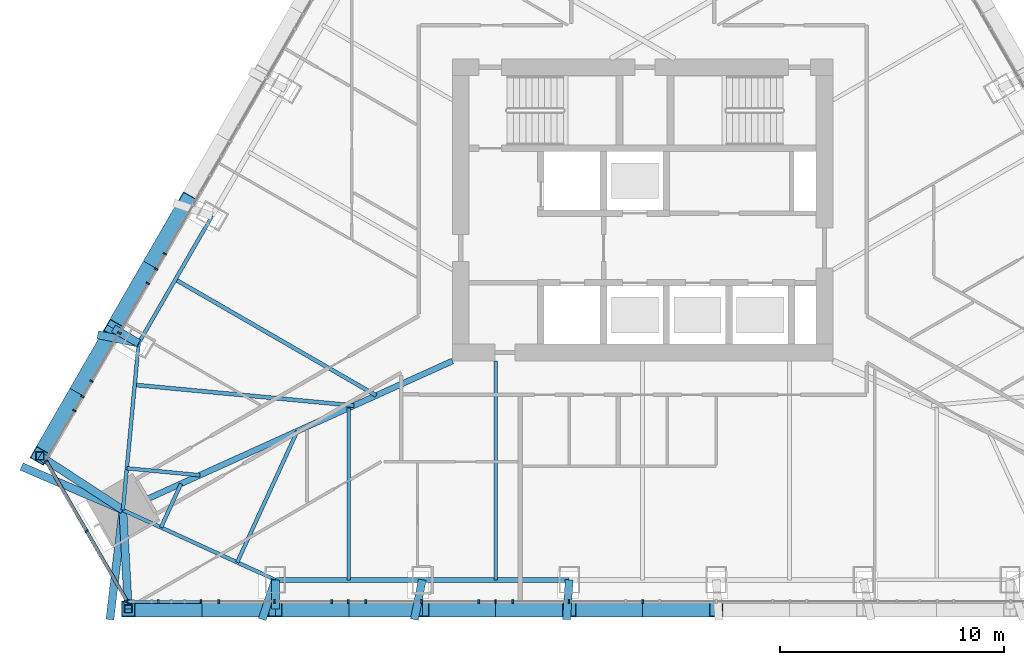
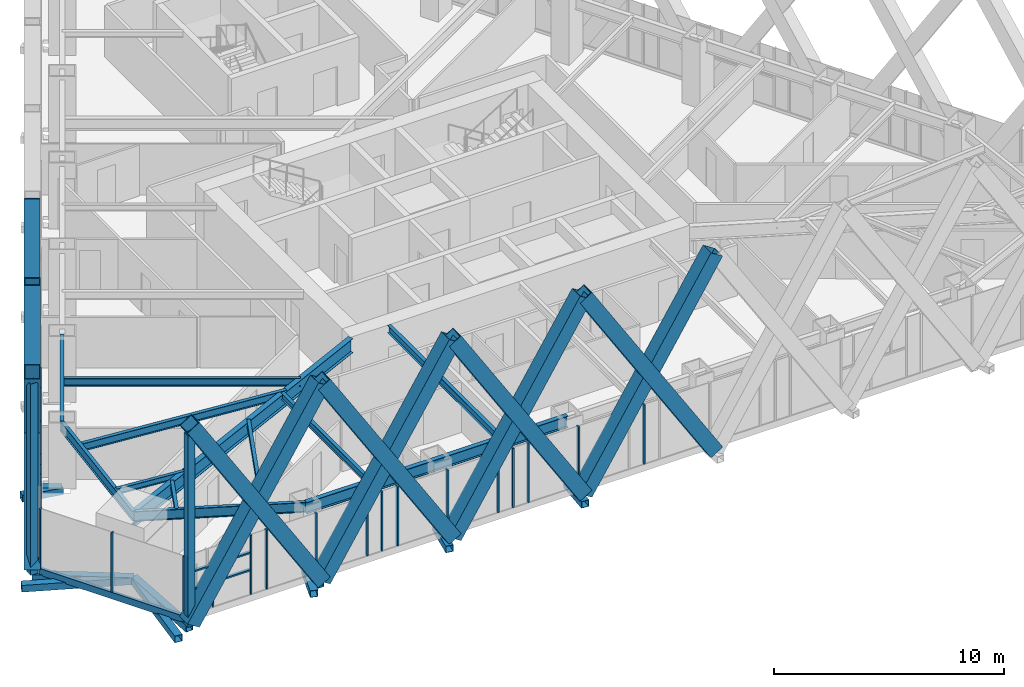
# One storey, part 2 of 25: 51 members, 12 beams, 3 elements without a shape of their own.
"""IFC4 building model written with IfcOpenShell, lengths in metres."""

from ifc_helpers import new_model, si_unit, direction, frame, origin, origin_2d, place, context, subcontext, project, spatial, rectangle, hollow_rectangle, i_section, extrude, material, layer, layer_set, material_profile, profile_set, type_object, element, aggregate, save


model = new_model("IFC4")

# Units and contexts
model_context = context("Model", 3, precision=1e-05, world=origin(), true_north=direction((0.0, 1.0)))
body_context = subcontext(model_context, "Body", "Model", "MODEL_VIEW")
ifc_project = project(units=[si_unit("LENGTHUNIT", "METRE"), si_unit("AREAUNIT", "SQUARE_METRE"), si_unit("VOLUMEUNIT", "CUBIC_METRE"), si_unit("PLANEANGLEUNIT", "RADIAN"), si_unit("MASSUNIT", "GRAM", prefix="KILO")], contexts=[model_context])

# Site, building, storey
site_placement = place(None, origin())
site = spatial("IfcSite", under=ifc_project, at=site_placement, CompositionType="ELEMENT")
building_placement = place(site_placement, origin())
building = spatial("IfcBuilding", under=site, at=building_placement, Name="Firuza Gate Tower and Library", CompositionType="ELEMENT")
storey_placement = place(building_placement, frame((0.0, 0.0, 270.60009765625)))
storey = spatial("IfcBuildingStorey", under=building, at=storey_placement, Name="L64", CompositionType="ELEMENT", Elevation=270.60009765625)

# Members
ifc_material_1 = material(Name="Steel S355", Category="steel")
ifc_material_profile_1 = material_profile(ifc_material_1, hollow_rectangle(XDim=0.699951171875, YDim=0.699951171875, WallThickness=0.030029296875, at=origin_2d()))
ifc_profile_set_1 = profile_set([ifc_material_profile_1], Name="Steel S355")
member_type_1 = type_object("IfcMemberType", Name="BU700x700x30 Lattice brace", PredefinedType="BRACE", material=ifc_profile_set_1)
for number, where, z_axis, x_axis, name in (
    (1, (52.021240234375, 57.17626953125, 0.0), (0.530169052123, 0.0, 0.8478919602), (0.0, 1.0, 0.0), "Lattice brace S 16.1R"),
    (2, (58.586669921875, 57.17626953125, 0.0), (-0.530169052123, 0.0, 0.8478919602), (0.0, -1.0, 0.0), "Lattice brace S 16.1L"),
    (3, (58.586669921875, 57.17626953125, 0.0), (0.530169052123, 0.0, 0.8478919602), (0.0, 1.0, 0.0), "Lattice brace S 16.2R"),
    (4, (65.152099609375, 57.17626953125, 0.0), (-0.530169052123, 0.0, 0.8478919602), (0.0, -1.0, 0.0), "Lattice brace S 16.2L"),
    (5, (65.152099609375, 57.17626953125, 0.0), (0.530154878557, 0.0, 0.847900822468), (0.0, 1.0, 0.0), "Lattice brace S 16.3R"),
    (6, (71.71728515625, 57.17626953125, 0.0), (-0.530154878557, 0.0, 0.847900822468), (0.0, -1.0, 0.0), "Lattice brace S 16.3L"),
    (7, (71.71728515625, 57.17626953125, 0.0), (0.530169052123, 0.0, 0.8478919602), (0.0, 1.0, 0.0), "Lattice brace S 16.4R"),
    (8, (78.28271484375, 57.17626953125, 0.0), (-0.530169052123, 0.0, 0.8478919602), (0.0, -1.0, 0.0), "Lattice brace S 16.4L"),
    (9, (54.64013671875, 75.38330078125, 0.0), (-0.2650665688, -0.459139852792, 0.847897582072), (0.86604006325, -0.499974608201, 0.0), "Lattice brace W 16.6R"),
    (10, (51.357666015625, 69.697509765625, 0.0), (0.2650665688, 0.459139852792, 0.847897582072), (-0.86604006325, 0.499974608201, 0.0), "Lattice brace W 16.6L"),
    (11, (51.357666015625, 69.697509765625, 0.0), (-0.265084898364, -0.459137453369, 0.847893151036), (0.86602396135, -0.500002498361, 0.0), "Lattice brace W 16.7R"),
    (12, (48.074951171875, 64.01171875, 0.0), (0.265084898364, 0.459137453369, 0.847893151036), (-0.86602396135, 0.500002498361, 0.0), "Lattice brace W 16.7L"),
):
    element("IfcMember", number, at=place(storey_placement, frame(where, z_axis=z_axis, x_axis=x_axis)), inside=storey, type_object=member_type_1, Name=name, PredefinedType="BRACE", context=body_context, shape_type="SweptSolid", body=[
        extrude(hollow_rectangle(XDim=0.699951171875, YDim=0.699951171875, WallThickness=0.030029296875, at=origin_2d()), origin(), (0.0, 0.0, 1.0), 12.383544921875),
    ])

# Curtain wall, members
ifc_material_2 = material(Name="Aluminium 6063-T6", Category="aluminium")
ifc_layer_1 = layer(ifc_material_2, 0.14990234375)
ifc_layer_set_1 = layer_set([ifc_layer_1], Name="Unitised curtain wall, residences")
curtain_wall_type_1 = type_object("IfcCurtainWallType", Name="Unitised curtain wall, residences", PredefinedType="NOTDEFINED", material=ifc_layer_set_1)
placement = place(storey_placement, origin())
curtain_wall_1 = element("IfcCurtainWall", 13, at=placement, inside=storey, type_object=curtain_wall_type_1, Name="CW3 L64 S face", PredefinedType="NOTDEFINED")
ifc_material_3 = material(Name="Aluminium 6063-T6", Category="aluminium")
ifc_material_profile_2 = material_profile(ifc_material_3, rectangle(XDim=0.14990234375, YDim=0.080078125, at=origin_2d()))
ifc_profile_set_2 = profile_set([ifc_material_profile_2], Name="Aluminium 6063-T6")
member_type_2 = type_object("IfcMemberType", Name="Curtain wall mullion 80x150", PredefinedType="MULLION", material=ifc_profile_set_2)
member_1_placement = place(storey_placement, frame((52.01806640625, 57.501220703125, 0.14990234375), z_axis=(0.0, 0.0, 1.0), x_axis=(0.0, 1.0, 0.0)))
member_1 = element("IfcMember", 14, at=member_1_placement, type_object=member_type_2, Name="Mullion", PredefinedType="MULLION", context=body_context, shape_type="SweptSolid", body=[
    extrude(rectangle(XDim=0.14990234375, YDim=0.080078125, at=origin_2d()), origin(), (0.0, 0.0, 1.0), 3.14990234375),
])
member_2_placement = place(storey_placement, frame((55.266845703125, 57.501220703125, 0.14990234375), z_axis=(0.0, 0.0, 1.0), x_axis=(0.0, 1.0, 0.0)))
member_2 = element("IfcMember", 15, at=member_2_placement, type_object=member_type_2, Name="Mullion", PredefinedType="MULLION", context=body_context, shape_type="SweptSolid", body=[
    extrude(rectangle(XDim=0.14990234375, YDim=0.080078125, at=origin_2d()), origin(), (0.0, 0.0, 1.0), 3.14990234375),
])
member_3_placement = place(storey_placement, frame((58.5556640625, 57.501220703125, 0.14990234375), z_axis=(0.0, 0.0, 1.0), x_axis=(0.0, 1.0, 0.0)))
member_3 = element("IfcMember", 16, at=member_3_placement, type_object=member_type_2, Name="Mullion", PredefinedType="MULLION", context=body_context, shape_type="SweptSolid", body=[
    extrude(rectangle(XDim=0.14990234375, YDim=0.080078125, at=origin_2d()), origin(), (0.0, 0.0, 1.0), 3.14990234375),
])
member_4_placement = place(storey_placement, frame((61.844482421875, 57.501220703125, 0.14990234375), z_axis=(0.0, 0.0, 1.0), x_axis=(0.0, 1.0, 0.0)))
member_4 = element("IfcMember", 17, at=member_4_placement, type_object=member_type_2, Name="Mullion", PredefinedType="MULLION", context=body_context, shape_type="SweptSolid", body=[
    extrude(rectangle(XDim=0.14990234375, YDim=0.080078125, at=origin_2d()), origin(), (0.0, 0.0, 1.0), 3.14990234375),
])
member_5_placement = place(storey_placement, frame((65.133544921875, 57.501220703125, 0.14990234375), z_axis=(0.0, 0.0, 1.0), x_axis=(0.0, 1.0, 0.0)))
member_5 = element("IfcMember", 18, at=member_5_placement, type_object=member_type_2, Name="Mullion", PredefinedType="MULLION", context=body_context, shape_type="SweptSolid", body=[
    extrude(rectangle(XDim=0.14990234375, YDim=0.080078125, at=origin_2d()), origin(), (0.0, 0.0, 1.0), 3.14990234375),
])
member_6_placement = place(storey_placement, frame((68.42236328125, 57.501220703125, 0.14990234375), z_axis=(0.0, 0.0, 1.0), x_axis=(0.0, 1.0, 0.0)))
member_6 = element("IfcMember", 19, at=member_6_placement, type_object=member_type_2, Name="Mullion", PredefinedType="MULLION", context=body_context, shape_type="SweptSolid", body=[
    extrude(rectangle(XDim=0.14990234375, YDim=0.080078125, at=origin_2d()), origin(), (0.0, 0.0, 1.0), 3.14990234375),
])
member_7_placement = place(storey_placement, frame((71.711181640625, 57.501220703125, 0.14990234375), z_axis=(0.0, 0.0, 1.0), x_axis=(0.0, 1.0, 0.0)))
member_7 = element("IfcMember", 20, at=member_7_placement, type_object=member_type_2, Name="Mullion", PredefinedType="MULLION", context=body_context, shape_type="SweptSolid", body=[
    extrude(rectangle(XDim=0.14990234375, YDim=0.080078125, at=origin_2d()), origin(), (0.0, 0.0, 1.0), 3.14990234375),
])
member_8_placement = place(storey_placement, frame((75.0, 57.501220703125, 0.14990234375), z_axis=(0.0, 0.0, 1.0), x_axis=(0.0, 1.0, 0.0)))
member_8 = element("IfcMember", 21, at=member_8_placement, type_object=member_type_2, Name="Mullion", PredefinedType="MULLION", context=body_context, shape_type="SweptSolid", body=[
    extrude(rectangle(XDim=0.14990234375, YDim=0.080078125, at=origin_2d()), origin(), (0.0, 0.0, 1.0), 3.14990234375),
])
member_9_placement = place(storey_placement, frame((53.36083984375, 57.501220703125, 0.14990234375), z_axis=(0.0, 0.0, 1.0), x_axis=(0.0, 1.0, 0.0)))
member_9 = element("IfcMember", 22, at=member_9_placement, type_object=member_type_2, Name="Mullion", PredefinedType="MULLION", context=body_context, shape_type="SweptSolid", body=[
    extrude(rectangle(XDim=0.14990234375, YDim=0.080078125, at=origin_2d()), origin(), (0.0, 0.0, 1.0), 1.260009765625),
])
member_10_placement = place(storey_placement, frame((56.0654296875, 57.501220703125, 0.14990234375), z_axis=(0.0, 0.0, 1.0), x_axis=(0.0, 1.0, 0.0)))
member_10 = element("IfcMember", 23, at=member_10_placement, type_object=member_type_2, Name="Mullion", PredefinedType="MULLION", context=body_context, shape_type="SweptSolid", body=[
    extrude(rectangle(XDim=0.14990234375, YDim=0.080078125, at=origin_2d()), origin(), (0.0, 0.0, 1.0), 3.14990234375),
])
member_11_placement = place(storey_placement, frame((61.10791015625, 57.501220703125, 0.14990234375), z_axis=(0.0, 0.0, 1.0), x_axis=(0.0, 1.0, 0.0)))
member_11 = element("IfcMember", 24, at=member_11_placement, type_object=member_type_2, Name="Mullion", PredefinedType="MULLION", context=body_context, shape_type="SweptSolid", body=[
    extrude(rectangle(XDim=0.14990234375, YDim=0.080078125, at=origin_2d()), origin(), (0.0, 0.0, 1.0), 3.14990234375),
])
member_12_placement = place(storey_placement, frame((62.630859375, 57.501220703125, 0.14990234375), z_axis=(0.0, 0.0, 1.0), x_axis=(0.0, 1.0, 0.0)))
member_12 = element("IfcMember", 25, at=member_12_placement, type_object=member_type_2, Name="Mullion", PredefinedType="MULLION", context=body_context, shape_type="SweptSolid", body=[
    extrude(rectangle(XDim=0.14990234375, YDim=0.080078125, at=origin_2d()), origin(), (0.0, 0.0, 1.0), 3.14990234375),
])
member_13_placement = place(storey_placement, frame((67.673095703125, 57.501220703125, 0.14990234375), z_axis=(0.0, 0.0, 1.0), x_axis=(0.0, 1.0, 0.0)))
member_13 = element("IfcMember", 26, at=member_13_placement, type_object=member_type_2, Name="Mullion", PredefinedType="MULLION", context=body_context, shape_type="SweptSolid", body=[
    extrude(rectangle(XDim=0.14990234375, YDim=0.080078125, at=origin_2d()), origin(), (0.0, 0.0, 1.0), 3.14990234375),
])
member_14_placement = place(storey_placement, frame((69.196044921875, 57.501220703125, 0.14990234375), z_axis=(0.0, 0.0, 1.0), x_axis=(0.0, 1.0, 0.0)))
member_14 = element("IfcMember", 27, at=member_14_placement, type_object=member_type_2, Name="Mullion", PredefinedType="MULLION", context=body_context, shape_type="SweptSolid", body=[
    extrude(rectangle(XDim=0.14990234375, YDim=0.080078125, at=origin_2d()), origin(), (0.0, 0.0, 1.0), 3.14990234375),
])

curtain_wall_2 = element("IfcCurtainWall", 28, at=placement, inside=storey, type_object=curtain_wall_type_1, Name="CW3 L64 W face", PredefinedType="NOTDEFINED")
member_15_placement = place(storey_placement, frame((53.26806640625, 72.3564453125, 0.14990234375), z_axis=(0.0, 0.0, 1.0), x_axis=(0.866025403784, -0.5, 0.0)))
member_15 = element("IfcMember", 29, at=member_15_placement, type_object=member_type_2, Name="Mullion", PredefinedType="MULLION", context=body_context, shape_type="SweptSolid", body=[
    extrude(rectangle(XDim=0.14990234375, YDim=0.080078125, at=origin_2d()), origin(), (0.0, 0.0, 1.0), 3.14990234375),
])
member_16_placement = place(storey_placement, frame((51.62353515625, 69.50830078125, 0.14990234375), z_axis=(0.0, 0.0, 1.0), x_axis=(0.866025403784, -0.5, 0.0)))
member_16 = element("IfcMember", 30, at=member_16_placement, type_object=member_type_2, Name="Mullion", PredefinedType="MULLION", context=body_context, shape_type="SweptSolid", body=[
    extrude(rectangle(XDim=0.14990234375, YDim=0.080078125, at=origin_2d()), origin(), (0.0, 0.0, 1.0), 3.14990234375),
])
member_17_placement = place(storey_placement, frame((49.979248046875, 66.659912109375, 0.14990234375), z_axis=(0.0, 0.0, 1.0), x_axis=(0.866025403784, -0.5, 0.0)))
member_17 = element("IfcMember", 31, at=member_17_placement, type_object=member_type_2, Name="Mullion", PredefinedType="MULLION", context=body_context, shape_type="SweptSolid", body=[
    extrude(rectangle(XDim=0.14990234375, YDim=0.080078125, at=origin_2d()), origin(), (0.0, 0.0, 1.0), 3.14990234375),
])
member_18_placement = place(storey_placement, frame((53.6611328125, 73.037353515625, 0.14990234375), z_axis=(0.0, 0.0, 1.0), x_axis=(0.866025403784, -0.5, 0.0)))
member_18 = element("IfcMember", 32, at=member_18_placement, type_object=member_type_2, Name="Mullion", PredefinedType="MULLION", context=body_context, shape_type="SweptSolid", body=[
    extrude(rectangle(XDim=0.14990234375, YDim=0.080078125, at=origin_2d()), origin(), (0.0, 0.0, 1.0), 3.14990234375),
])
member_19_placement = place(storey_placement, frame((52.899658203125, 71.71826171875, 0.14990234375), z_axis=(0.0, 0.0, 1.0), x_axis=(0.866025403784, -0.5, 0.0)))
member_19 = element("IfcMember", 33, at=member_19_placement, type_object=member_type_2, Name="Mullion", PredefinedType="MULLION", context=body_context, shape_type="SweptSolid", body=[
    extrude(rectangle(XDim=0.14990234375, YDim=0.080078125, at=origin_2d()), origin(), (0.0, 0.0, 1.0), 3.14990234375),
])
member_20_placement = place(storey_placement, frame((50.37841796875, 67.3515625, 0.14990234375), z_axis=(0.0, 0.0, 1.0), x_axis=(0.866025403784, -0.5, 0.0)))
member_20 = element("IfcMember", 34, at=member_20_placement, type_object=member_type_2, Name="Mullion", PredefinedType="MULLION", context=body_context, shape_type="SweptSolid", body=[
    extrude(rectangle(XDim=0.14990234375, YDim=0.080078125, at=origin_2d()), origin(), (0.0, 0.0, 1.0), 3.14990234375),
])
member_21_placement = place(storey_placement, frame((49.616943359375, 66.03271484375, 0.14990234375), z_axis=(0.0, 0.0, 1.0), x_axis=(0.866025403784, -0.5, 0.0)))
member_21 = element("IfcMember", 35, at=member_21_placement, type_object=member_type_2, Name="Mullion", PredefinedType="MULLION", context=body_context, shape_type="SweptSolid", body=[
    extrude(rectangle(XDim=0.14990234375, YDim=0.080078125, at=origin_2d()), origin(), (0.0, 0.0, 1.0), 3.14990234375),
])
aggregate(curtain_wall_2, [member_15, member_16, member_17, member_18, member_19, member_20, member_21])

ifc_material_4 = material(Name="Aluminium 6063-T6", Category="aluminium")
ifc_layer_2 = layer(ifc_material_4, 0.14990234375)
ifc_layer_set_2 = layer_set([ifc_layer_2], Name="Corner curtain wall, chamfers")
curtain_wall_type_2 = type_object("IfcCurtainWallType", Name="Corner curtain wall, chamfers", PredefinedType="NOTDEFINED", material=ifc_layer_set_2)
curtain_wall_3 = element("IfcCurtainWall", 36, at=placement, inside=storey, type_object=curtain_wall_type_2, Name="CW4 L64 SW corner", PredefinedType="NOTDEFINED")
member_22_placement = place(storey_placement, frame((48.354736328125, 63.777099609375, 0.14990234375), z_axis=(0.0, 0.0, 1.0), x_axis=(0.866025403784, 0.5, 0.0)))
member_22 = element("IfcMember", 37, at=member_22_placement, type_object=member_type_2, Name="Mullion", PredefinedType="MULLION", context=body_context, shape_type="SweptSolid", body=[
    extrude(rectangle(XDim=0.14990234375, YDim=0.080078125, at=origin_2d()), origin(), (0.0, 0.0, 1.0), 3.14990234375),
])
member_23_placement = place(storey_placement, frame((50.156494140625, 60.656494140625, 0.14990234375), z_axis=(0.0, 0.0, 1.0), x_axis=(0.866025403784, 0.5, 0.0)))
member_23 = element("IfcMember", 38, at=member_23_placement, type_object=member_type_2, Name="Mullion", PredefinedType="MULLION", context=body_context, shape_type="SweptSolid", body=[
    extrude(rectangle(XDim=0.14990234375, YDim=0.080078125, at=origin_2d()), origin(), (0.0, 0.0, 1.0), 3.14990234375),
])
member_24_placement = place(storey_placement, frame((51.9580078125, 57.535888671875, 0.14990234375), z_axis=(0.0, 0.0, 1.0), x_axis=(0.866025403784, 0.5, 0.0)))
member_24 = element("IfcMember", 39, at=member_24_placement, type_object=member_type_2, Name="Mullion", PredefinedType="MULLION", context=body_context, shape_type="SweptSolid", body=[
    extrude(rectangle(XDim=0.14990234375, YDim=0.080078125, at=origin_2d()), origin(), (0.0, 0.0, 1.0), 3.14990234375),
])
ifc_material_5 = material(Name="Aluminium 6063-T6", Category="aluminium")
ifc_material_profile_3 = material_profile(ifc_material_5, rectangle(XDim=0.14990234375, YDim=0.35009765625, at=origin_2d()))
ifc_profile_set_3 = profile_set([ifc_material_profile_3], Name="Aluminium 6063-T6")
member_type_3 = type_object("IfcMemberType", Name="Curtain wall transom 350x150", PredefinedType="USERDEFINED", material=ifc_profile_set_3)
member_25_placement = place(storey_placement, frame((48.334716796875, 63.811767578125, -0.025146484375), z_axis=(0.499991211061, -0.866030478021, 0.0), x_axis=(0.866030478021, 0.499991211061, 0.0)))
member_25 = element("IfcMember", 40, at=member_25_placement, type_object=member_type_3, Name="Transom", ObjectType="TRANSOM", PredefinedType="USERDEFINED", context=body_context, shape_type="SweptSolid", body=[
    extrude(rectangle(XDim=0.14990234375, YDim=0.35009765625, at=origin_2d()), origin(), (0.0, 0.0, 1.0), 7.286865234375),
])
aggregate(curtain_wall_3, [member_22, member_23, member_24, member_25])

# Member
ifc_material_6 = material(Name="Aluminium 6063-T6", Category="aluminium")
ifc_material_profile_4 = material_profile(ifc_material_6, rectangle(XDim=0.14990234375, YDim=0.080078125, at=origin_2d()))
ifc_profile_set_4 = profile_set([ifc_material_profile_4], Name="Aluminium 6063-T6")
member_type_4 = type_object("IfcMemberType", Name="Curtain wall transom 80x150", PredefinedType="USERDEFINED", material=ifc_profile_set_4)
member_26_placement = place(storey_placement, frame((52.01806640625, 57.501220703125, 1.449951171875), z_axis=(1.0, 0.0, 0.0), x_axis=(0.0, 1.0, 0.0)))
member_26 = element("IfcMember", 41, at=member_26_placement, type_object=member_type_4, Name="Transom", ObjectType="TRANSOM", PredefinedType="USERDEFINED", context=body_context, shape_type="SweptSolid", body=[
    extrude(rectangle(XDim=0.14990234375, YDim=0.080078125, at=origin_2d()), origin(), (0.0, 0.0, 1.0), 3.208740234375),
])

member_27_placement = place(storey_placement, frame((52.01806640625, 57.501220703125, 2.375), z_axis=(1.0, 0.0, 0.0), x_axis=(0.0, 1.0, 0.0)))
member_27 = element("IfcMember", 42, at=member_27_placement, type_object=member_type_4, Name="Transom", ObjectType="TRANSOM", PredefinedType="USERDEFINED", context=body_context, shape_type="SweptSolid", body=[
    extrude(rectangle(XDim=0.14990234375, YDim=0.080078125, at=origin_2d()), origin(), (0.0, 0.0, 1.0), 3.208740234375),
])

aggregate(curtain_wall_1, [member_1, member_2, member_3, member_4, member_5, member_6, member_7, member_8, member_9, member_26, member_27, member_10, member_11, member_12, member_13, member_14])

# Members
ifc_material_7 = material(Name="Steel S355", Category="steel")
ifc_material_profile_5 = material_profile(ifc_material_7, hollow_rectangle(XDim=0.355712890625, YDim=0.355712890625, WallThickness=0.014892578125, at=origin_2d()))
ifc_profile_set_5 = profile_set([ifc_material_profile_5], Name="Steel S355")
member_type_5 = type_object("IfcMemberType", Name="HSS356x356x16 Lattice corner stile", PredefinedType="BRACE", material=ifc_profile_set_5)
for number, where, z_axis, x_axis, name in (
    (43, (52.021240234375, 57.17626953125, -0.14013671875), (0.0, 0.0, 1.0), (1.0, 0.0, 0.0), "Lattice corner stile S 16.A"),
    (44, (48.074951171875, 64.01171875, -0.14013671875), (0.0, 0.0, 1.0), (1.0, 0.0, 0.0), "Lattice corner stile W 16.B"),
):
    element("IfcMember", number, at=place(storey_placement, frame(where, z_axis=z_axis, x_axis=x_axis)), inside=storey, type_object=member_type_5, Name=name, PredefinedType="BRACE", context=body_context, shape_type="SweptSolid", body=[
        extrude(hollow_rectangle(XDim=0.355712890625, YDim=0.355712890625, WallThickness=0.014892578125, at=origin_2d()), origin(), (0.0, 0.0, 1.0), 10.14013671875),
    ])
ifc_material_8 = material(Name="Steel S355", Category="steel")
ifc_material_profile_6 = material_profile(ifc_material_8, hollow_rectangle(XDim=0.355712890625, YDim=0.355712890625, WallThickness=0.014892578125, at=origin_2d()))
ifc_profile_set_6 = profile_set([ifc_material_profile_6], Name="Steel S355")
member_type_6 = type_object("IfcMemberType", Name="HSS356x356x16 Lattice node tie", PredefinedType="BRACE", material=ifc_profile_set_6)
member_28_placement = place(storey_placement, frame((51.7802734375, 61.593994140625, -0.320068359375), z_axis=(-0.117804486387, -0.993036808475, 0.0), x_axis=(0.993036808475, -0.117804486387, 0.0)))
element("IfcMember", 45, at=member_28_placement, inside=storey, type_object=member_type_6, Name="Lattice node tie S L64 403", PredefinedType="BRACE", context=body_context, shape_type="SweptSolid", body=[
    extrude(hollow_rectangle(XDim=0.355712890625, YDim=0.355712890625, WallThickness=0.014892578125, at=origin_2d()), origin(), (0.0, 0.0, 1.0), 4.926025390625),
])
member_29_placement = place(storey_placement, frame((51.7802734375, 61.593994140625, -0.320068359375), z_axis=(0.05446449316, -0.998515707931, 0.0), x_axis=(0.998515707931, 0.05446449316, 0.0)))
element("IfcMember", 46, at=member_29_placement, inside=storey, type_object=member_type_6, Name="Lattice node tie S L64 404", PredefinedType="BRACE", context=body_context, shape_type="SweptSolid", body=[
    extrude(hollow_rectangle(XDim=0.355712890625, YDim=0.355712890625, WallThickness=0.014892578125, at=origin_2d()), origin(), (0.0, 0.0, 1.0), 4.42431640625),
])
member_30_placement = place(storey_placement, frame((58.586669921875, 58.476318359375, -0.320068359375), z_axis=(-0.313953536604, -0.949438348106, 0.0), x_axis=(0.949438348106, -0.313953536604, 0.0)))
element("IfcMember", 47, at=member_30_placement, inside=storey, type_object=member_type_6, Name="Lattice node tie S L64 405", PredefinedType="BRACE", context=body_context, shape_type="SweptSolid", body=[
    extrude(hollow_rectangle(XDim=0.355712890625, YDim=0.355712890625, WallThickness=0.014892578125, at=origin_2d()), origin(), (0.0, 0.0, 1.0), 1.86865234375),
])
member_31_placement = place(storey_placement, frame((58.586669921875, 58.476318359375, -0.320068359375), z_axis=(0.0, -1.0, 0.0), x_axis=(1.0, 0.0, 0.0)))
element("IfcMember", 48, at=member_31_placement, inside=storey, type_object=member_type_6, Name="Lattice node tie S L64 406", PredefinedType="BRACE", context=body_context, shape_type="SweptSolid", body=[
    extrude(hollow_rectangle(XDim=0.355712890625, YDim=0.355712890625, WallThickness=0.014892578125, at=origin_2d()), origin(), (0.0, 0.0, 1.0), 1.300048828125),
])
member_32_placement = place(storey_placement, frame((65.152099609375, 58.476318359375, -0.320068359375), z_axis=(-0.194636359922, -0.980875469872, 0.0), x_axis=(0.980875469872, -0.194636359922, 0.0)))
element("IfcMember", 49, at=member_32_placement, inside=storey, type_object=member_type_6, Name="Lattice node tie S L64 407", PredefinedType="BRACE", context=body_context, shape_type="SweptSolid", body=[
    extrude(hollow_rectangle(XDim=0.355712890625, YDim=0.355712890625, WallThickness=0.014892578125, at=origin_2d()), origin(), (0.0, 0.0, 1.0), 1.808837890625),
])
member_33_placement = place(storey_placement, frame((71.71728515625, 58.476318359375, -0.320068359375), z_axis=(-0.065908397593, -0.997825677725, 0.0), x_axis=(0.997825677725, -0.065908397593, 0.0)))
element("IfcMember", 50, at=member_33_placement, inside=storey, type_object=member_type_6, Name="Lattice node tie S L64 408", PredefinedType="BRACE", context=body_context, shape_type="SweptSolid", body=[
    extrude(hollow_rectangle(XDim=0.355712890625, YDim=0.355712890625, WallThickness=0.014892578125, at=origin_2d()), origin(), (0.0, 0.0, 1.0), 1.778076171875),
])
member_34_placement = place(storey_placement, frame((51.7802734375, 61.593994140625, -0.320068359375), z_axis=(-0.918878224887, 0.394541262517, 0.0), x_axis=(-0.394541262517, -0.918878224887, 0.0)))
element("IfcMember", 51, at=member_34_placement, inside=storey, type_object=member_type_6, Name="Lattice node tie W L64 415", PredefinedType="BRACE", context=body_context, shape_type="SweptSolid", body=[
    extrude(hollow_rectangle(XDim=0.355712890625, YDim=0.355712890625, WallThickness=0.014892578125, at=origin_2d()), origin(), (0.0, 0.0, 1.0), 4.92626953125),
])
member_35_placement = place(storey_placement, frame((51.7802734375, 61.593994140625, -0.320068359375), z_axis=(-0.837485429113, 0.546459656355, 0.0), x_axis=(-0.546459656355, -0.837485429113, 0.0)))
element("IfcMember", 52, at=member_35_placement, inside=storey, type_object=member_type_6, Name="Lattice node tie W L64 416", PredefinedType="BRACE", context=body_context, shape_type="SweptSolid", body=[
    extrude(hollow_rectangle(XDim=0.355712890625, YDim=0.355712890625, WallThickness=0.014892578125, at=origin_2d()), origin(), (0.0, 0.0, 1.0), 4.42431640625),
])
member_36_placement = place(storey_placement, frame((52.4833984375, 69.04736328125, -0.320068359375), z_axis=(-0.979200490572, 0.202895044944, 0.0), x_axis=(-0.202895044944, -0.979200490572, 0.0)))
element("IfcMember", 53, at=member_36_placement, inside=storey, type_object=member_type_6, Name="Lattice node tie W L64 417", PredefinedType="BRACE", context=body_context, shape_type="SweptSolid", body=[
    extrude(hollow_rectangle(XDim=0.355712890625, YDim=0.355712890625, WallThickness=0.014892578125, at=origin_2d()), origin(), (0.0, 0.0, 1.0), 1.86865234375),
])
member_37_placement = place(storey_placement, frame((52.4833984375, 69.04736328125, -0.320068359375), z_axis=(-0.86595725628, 0.500118016368, 0.0), x_axis=(-0.500118016368, -0.86595725628, 0.0)))
element("IfcMember", 54, at=member_37_placement, inside=storey, type_object=member_type_6, Name="Lattice node tie W L64 418", PredefinedType="BRACE", context=body_context, shape_type="SweptSolid", body=[
    extrude(hollow_rectangle(XDim=0.355712890625, YDim=0.355712890625, WallThickness=0.014892578125, at=origin_2d()), origin(), (0.0, 0.0, 1.0), 1.300048828125),
])

# Beams
ifc_material_9 = material(Name="Steel S355", Category="steel")
ifc_material_profile_7 = material_profile(ifc_material_9, i_section(OverallWidth=0.1650390625, OverallDepth=0.31005859375, WebThickness=0.005859375, FlangeThickness=0.009765625, at=origin_2d()))
ifc_profile_set_7 = profile_set([ifc_material_profile_7], Name="Steel S355")
beam_type_1 = type_object("IfcBeamType", Name="W310x39 Floor beam", PredefinedType="JOIST", material=ifc_profile_set_7)
beam_1_placement = place(storey_placement, frame((51.9560546875, 63.457275390625, 3.14501953125), z_axis=(0.995581079201, -0.09390588233, 0.0), x_axis=(0.09390588233, 0.995581079201, 0.0)))
element("IfcBeam", 55, at=beam_1_placement, inside=storey, type_object=beam_type_1, Name="Floor beam L64 s01", PredefinedType="JOIST", context=body_context, shape_type="SweptSolid", body=[
    extrude(i_section(OverallWidth=0.1650390625, OverallDepth=0.31005859375, WebThickness=0.005859375, FlangeThickness=0.009765625, at=origin_2d()), origin(), (0.0, 0.0, 1.0), 3.2783203125),
])
beam_2_placement = place(storey_placement, frame((53.481689453125, 60.814697265625, 3.14501953125), z_axis=(0.416455154512, 0.909156259551, 0.0), x_axis=(-0.909156259551, 0.416455154512, 0.0)))
element("IfcBeam", 56, at=beam_2_placement, inside=storey, type_object=beam_type_1, Name="Floor beam L64 s10", PredefinedType="JOIST", context=body_context, shape_type="SweptSolid", body=[
    extrude(i_section(OverallWidth=0.1650390625, OverallDepth=0.31005859375, WebThickness=0.005859375, FlangeThickness=0.009765625, at=origin_2d()), origin(), (0.0, 0.0, 1.0), 2.1484375),
])
beam_3_placement = place(storey_placement, frame((56.885009765625, 59.255859375, 3.14501953125), z_axis=(0.416440813943, 0.909162828366, 0.0), x_axis=(-0.909162828366, 0.416440813943, 0.0)))
element("IfcBeam", 57, at=beam_3_placement, inside=storey, type_object=beam_type_1, Name="Floor beam L64 s11", PredefinedType="JOIST", context=body_context, shape_type="SweptSolid", body=[
    extrude(i_section(OverallWidth=0.1650390625, OverallDepth=0.31005859375, WebThickness=0.005859375, FlangeThickness=0.009765625, at=origin_2d()), origin(), (0.0, 0.0, 1.0), 6.44580078125),
])
ifc_material_10 = material(Name="Steel S355", Category="steel")
ifc_material_profile_8 = material_profile(ifc_material_10, i_section(OverallWidth=0.1708984375, OverallDepth=0.35498046875, WebThickness=0.007080078125, FlangeThickness=0.01171875, at=origin_2d()))
ifc_profile_set_8 = profile_set([ifc_material_profile_8], Name="Steel S355")
beam_type_2 = type_object("IfcBeamType", Name="W360x51 Floor beam", PredefinedType="JOIST", material=ifc_profile_set_8)
beam_4_placement = place(storey_placement, frame((61.869384765625, 58.476318359375, 3.122314453125), z_axis=(0.0, 1.0, 0.0), x_axis=(-1.0, 0.0, 0.0)))
element("IfcBeam", 58, at=beam_4_placement, inside=storey, type_object=beam_type_2, Name="Floor beam L64 s20", PredefinedType="JOIST", context=body_context, shape_type="SweptSolid", body=[
    extrude(i_section(OverallWidth=0.1708984375, OverallDepth=0.35498046875, WebThickness=0.007080078125, FlangeThickness=0.01171875, at=origin_2d()), origin(), (0.0, 0.0, 1.0), 7.6796875),
])
ifc_material_11 = material(Name="Steel S355", Category="steel")
ifc_material_profile_9 = material_profile(ifc_material_11, i_section(OverallWidth=0.177978515625, OverallDepth=0.406982421875, WebThickness=0.0078125, FlangeThickness=0.0126953125, at=origin_2d()))
ifc_profile_set_9 = profile_set([ifc_material_profile_9], Name="Steel S355")
beam_type_3 = type_object("IfcBeamType", Name="W410x60 Floor beam", PredefinedType="JOIST", material=ifc_profile_set_9)
beam_5_placement = place(storey_placement, frame((52.3076171875, 67.18408203125, 3.096435546875), z_axis=(0.99557897717, -0.093928165194, 0.0), x_axis=(0.093928165194, 0.99557897717, 0.0)))
element("IfcBeam", 59, at=beam_5_placement, inside=storey, type_object=beam_type_3, Name="Floor beam L64 s00", PredefinedType="JOIST", context=body_context, shape_type="SweptSolid", body=[
    extrude(i_section(OverallWidth=0.177978515625, OverallDepth=0.406982421875, WebThickness=0.0078125, FlangeThickness=0.0126953125, at=origin_2d()), origin(), (0.0, 0.0, 1.0), 9.83544921875),
])
beam_6_placement = place(storey_placement, frame((68.4345703125, 58.476318359375, 3.096435546875), z_axis=(0.0, 1.0, 0.0), x_axis=(-1.0, 0.0, 0.0)))
element("IfcBeam", 60, at=beam_6_placement, inside=storey, type_object=beam_type_3, Name="Floor beam L64 s21", PredefinedType="JOIST", context=body_context, shape_type="SweptSolid", body=[
    extrude(i_section(OverallWidth=0.177978515625, OverallDepth=0.406982421875, WebThickness=0.0078125, FlangeThickness=0.0126953125, at=origin_2d()), origin(), (0.0, 0.0, 1.0), 9.773681640625),
])
beam_7_placement = place(storey_placement, frame((54.124755859375, 71.890380859375, 3.096435546875), z_axis=(0.866018392704, -0.500012143352, 0.0), x_axis=(0.500012143352, 0.866018392704, 0.0)))
element("IfcBeam", 61, at=beam_7_placement, inside=storey, type_object=beam_type_3, Name="Floor beam L64 s84", PredefinedType="JOIST", context=body_context, shape_type="SweptSolid", body=[
    extrude(i_section(OverallWidth=0.177978515625, OverallDepth=0.406982421875, WebThickness=0.0078125, FlangeThickness=0.0126953125, at=origin_2d()), origin(), (0.0, 0.0, 1.0), 10.359130859375),
])
ifc_material_12 = material(Name="Steel S355", Category="steel")
ifc_material_profile_10 = material_profile(ifc_material_12, i_section(OverallWidth=0.166015625, OverallDepth=0.534912109375, WebThickness=0.01025390625, FlangeThickness=0.0166015625, at=origin_2d()))
ifc_profile_set_10 = profile_set([ifc_material_profile_10], Name="Steel S355")
beam_type_4 = type_object("IfcBeamType", Name="W530x85 Edge beam", PredefinedType="SPANDREL", material=ifc_profile_set_10)
beam_8_placement = place(storey_placement, frame((52.4833984375, 69.04736328125, 3.032470703125), z_axis=(-0.093919545229, -0.995579790385, 0.0), x_axis=(0.995579790385, -0.093919545229, 0.0)))
element("IfcBeam", 62, at=beam_8_placement, inside=storey, type_object=beam_type_4, Name="Edge beam L64 e00", PredefinedType="SPANDREL", context=body_context, shape_type="SweptSolid", body=[
    extrude(i_section(OverallWidth=0.166015625, OverallDepth=0.534912109375, WebThickness=0.01025390625, FlangeThickness=0.0166015625, at=origin_2d()), origin(), (0.0, 0.0, 1.0), 7.486572265625),
])
beam_9_placement = place(storey_placement, frame((51.7802734375, 61.593994140625, 3.032470703125), z_axis=(0.909162069669, -0.416442470306, 0.0), x_axis=(0.416442470306, 0.909162069669, 0.0)))
element("IfcBeam", 63, at=beam_9_placement, inside=storey, type_object=beam_type_4, Name="Edge beam L64 e10", PredefinedType="SPANDREL", context=body_context, shape_type="SweptSolid", body=[
    extrude(i_section(OverallWidth=0.166015625, OverallDepth=0.534912109375, WebThickness=0.01025390625, FlangeThickness=0.0166015625, at=origin_2d()), origin(), (0.0, 0.0, 1.0), 7.486328125),
])
beam_10_placement = place(storey_placement, frame((55.76611328125, 74.733154296875, 3.032470703125), z_axis=(-0.500002498361, -0.86602396135, 0.0), x_axis=(0.86602396135, -0.500002498361, 0.0)))
element("IfcBeam", 64, at=beam_10_placement, inside=storey, type_object=beam_type_4, Name="Edge beam L64 e84", PredefinedType="SPANDREL", context=body_context, shape_type="SweptSolid", body=[
    extrude(i_section(OverallWidth=0.166015625, OverallDepth=0.534912109375, WebThickness=0.01025390625, FlangeThickness=0.0166015625, at=origin_2d()), origin(), (0.0, 0.0, 1.0), 6.5654296875),
])
ifc_material_13 = material(Name="Steel S355", Category="steel")
ifc_material_profile_11 = material_profile(ifc_material_13, i_section(OverallWidth=0.22900390625, OverallDepth=0.612060546875, WebThickness=0.011962890625, FlangeThickness=0.01953125, at=origin_2d()))
ifc_profile_set_11 = profile_set([ifc_material_profile_11], Name="Steel S355")
beam_type_5 = type_object("IfcBeamType", Name="W610x125 Edge beam", PredefinedType="SPANDREL", material=ifc_profile_set_11)
beam_11_placement = place(storey_placement, frame((58.586669921875, 58.476318359375, 2.993896484375), z_axis=(1.0, 0.0, 0.0), x_axis=(0.0, 1.0, 0.0)))
element("IfcBeam", 65, at=beam_11_placement, inside=storey, type_object=beam_type_5, Name="Edge beam L64 e20", PredefinedType="SPANDREL", context=body_context, shape_type="SweptSolid", body=[
    extrude(i_section(OverallWidth=0.22900390625, OverallDepth=0.612060546875, WebThickness=0.011962890625, FlangeThickness=0.01953125, at=origin_2d()), origin(), (0.0, 0.0, 1.0), 13.130615234375),
])
ifc_material_14 = material(Name="Steel S355", Category="steel")
ifc_material_profile_12 = material_profile(ifc_material_14, i_section(OverallWidth=0.264892578125, OverallDepth=0.7529296875, WebThickness=0.01318359375, FlangeThickness=0.01708984375, at=origin_2d()))
ifc_profile_set_12 = profile_set([ifc_material_profile_12], Name="Steel S355")
beam_type_6 = type_object("IfcBeamType", Name="W760x147 Girder", PredefinedType="BEAM", material=ifc_profile_set_12)
beam_12_placement = place(storey_placement, frame((51.7802734375, 61.593994140625, 2.92333984375), z_axis=(0.911175743471, 0.412017917705, 0.0), x_axis=(-0.412017917705, 0.911175743471, 0.0)))
element("IfcBeam", 66, at=beam_12_placement, inside=storey, type_object=beam_type_6, Name="Girder L64 gSW", PredefinedType="BEAM", context=body_context, shape_type="SweptSolid", body=[
    extrude(i_section(OverallWidth=0.264892578125, OverallDepth=0.7529296875, WebThickness=0.01318359375, FlangeThickness=0.01708984375, at=origin_2d()), origin(), (0.0, 0.0, 1.0), 16.154541015625),
])

save(model, "model.ifc")
